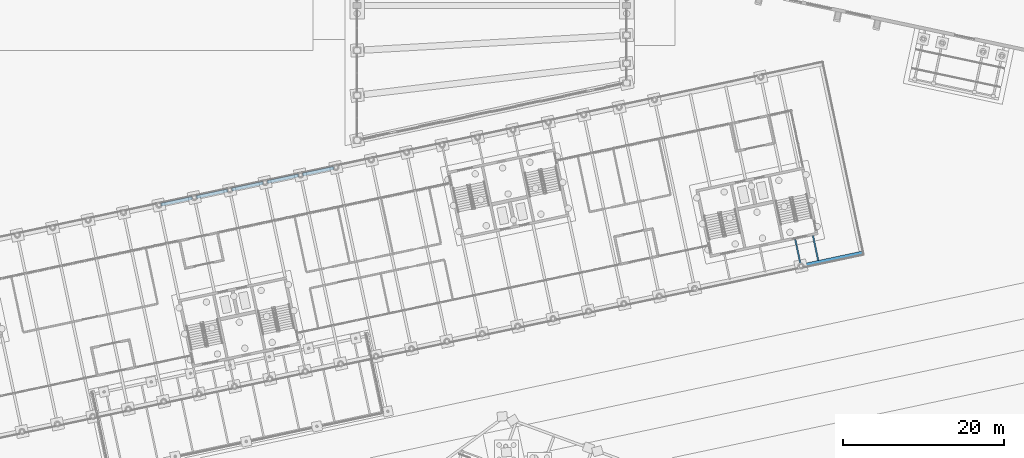
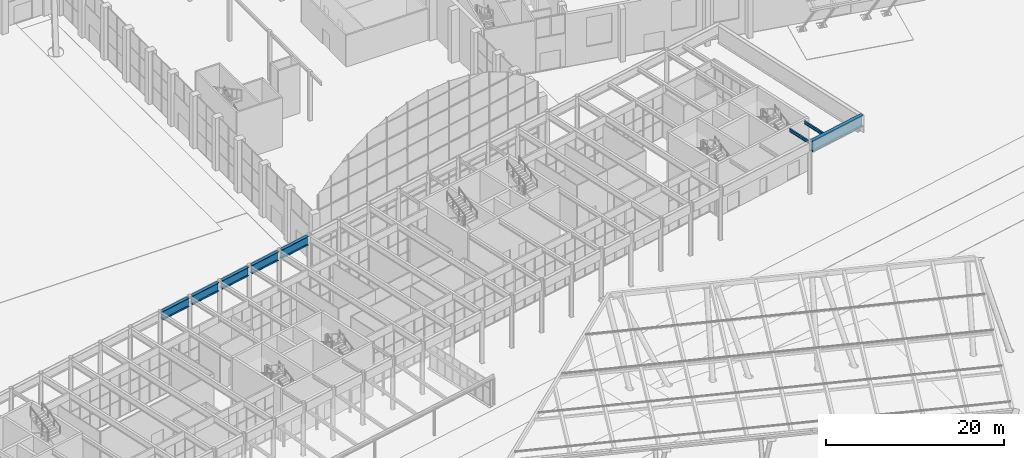
# One storey, part 99 of 239: 8 beams.
"""IFC4 building model written with IfcOpenShell, lengths in metres."""

from ifc_helpers import new_model, si_unit, direction, frame, origin, origin_2d, place, context, subcontext, project, spatial, i_section, extrude, material, material_profile, profile_set, type_object, element, save


model = new_model("IFC4")

# Units and contexts
model_context = context("Model", 3, precision=1e-05, world=origin(), true_north=direction((0.0, 1.0)))
body_context = subcontext(model_context, "Body", "Model", "MODEL_VIEW")
ifc_project = project(units=[si_unit("LENGTHUNIT", "METRE"), si_unit("AREAUNIT", "SQUARE_METRE"), si_unit("VOLUMEUNIT", "CUBIC_METRE"), si_unit("PLANEANGLEUNIT", "RADIAN"), si_unit("MASSUNIT", "GRAM", prefix="KILO")], contexts=[model_context])

# Site, building, storey
site_placement = place(None, origin())
site = spatial("IfcSite", under=ifc_project, at=site_placement, CompositionType="ELEMENT")
building_placement = place(site_placement, origin())
building = spatial("IfcBuilding", under=site, at=building_placement, Name="Okhra Congress Centre", CompositionType="ELEMENT")
storey_placement = place(building_placement, origin())
storey = spatial("IfcBuildingStorey", under=building, at=storey_placement, Name="L00", CompositionType="ELEMENT", Elevation=0.0)

# Beams
ifc_material = material(Name="Steel S355J2", Category="steel")
ifc_material_profile_1 = material_profile(ifc_material, i_section(OverallWidth=0.449951171875, OverallDepth=1.5, WebThickness=0.030029296875, FlangeThickness=0.06005859375, at=origin_2d()), Name="Plate girder 1500x450")
ifc_profile_set_1 = profile_set([ifc_material_profile_1], Name="Steel S355J2")
beam_type_1 = type_object("IfcBeamType", Name="Cantilever plate girder 1500x450", PredefinedType="BEAM", material=ifc_profile_set_1)
beam_1_placement = place(storey_placement, frame((210.916015625, 58.672607421875, 6.300048828125), z_axis=(0.978150572819, 0.207897707763, 0.0), x_axis=(-0.207897707763, 0.978150572819, 0.0)))
element("IfcBeam", 1, at=beam_1_placement, inside=storey, type_object=beam_type_1, Name="Cantilever girder S30", PredefinedType="BEAM", context=body_context, shape_type="SweptSolid", body=[
    extrude(i_section(OverallWidth=0.449951171875, OverallDepth=1.5, WebThickness=0.030029296875, FlangeThickness=0.06005859375, at=origin_2d()), origin(), (0.0, 0.0, 1.0), 7.64599609375),
])
ifc_material_profile_2 = material_profile(ifc_material, i_section(OverallWidth=0.179931640625, OverallDepth=0.39990234375, WebThickness=0.008544921875, FlangeThickness=0.013427734375, FilletRadius=0.02099609375, at=origin_2d()), Name="IPE 400")
ifc_profile_set_2 = profile_set([ifc_material_profile_2], Name="Steel S355J2")
beam_type_2 = type_object("IfcBeamType", Name="Floor beam stub IPE 400", PredefinedType="BEAM", material=ifc_profile_set_2)
beam_2_placement = place(storey_placement, frame((210.6259765625, 58.8154296875, 6.85009765625), z_axis=(-0.207932330883, 0.978143213325, 0.0), x_axis=(-0.978143213325, -0.207932330883, 0.0)))
element("IfcBeam", 2, at=beam_2_placement, inside=storey, type_object=beam_type_2, Name="Floor beam 34.1", PredefinedType="BEAM", context=body_context, shape_type="SweptSolid", body=[
    extrude(i_section(OverallWidth=0.179931640625, OverallDepth=0.39990234375, WebThickness=0.008544921875, FlangeThickness=0.013427734375, FilletRadius=0.02099609375, at=origin_2d()), origin(), (0.0, 0.0, 1.0), 3.1748046875),
])
beam_3_placement = place(storey_placement, frame((212.821533203125, 59.3076171875, 6.85009765625), z_axis=(-0.207877295669, 0.978154911016, 0.0), x_axis=(-0.978154911016, -0.207877295669, 0.0)))
element("IfcBeam", 3, at=beam_3_placement, inside=storey, type_object=beam_type_2, Name="Floor beam 35.1", PredefinedType="BEAM", context=body_context, shape_type="SweptSolid", body=[
    extrude(i_section(OverallWidth=0.179931640625, OverallDepth=0.39990234375, WebThickness=0.008544921875, FlangeThickness=0.013427734375, FilletRadius=0.02099609375, at=origin_2d()), origin(), (0.0, 0.0, 1.0), 3.14990234375),
])
ifc_material_profile_3 = material_profile(ifc_material, i_section(OverallWidth=0.39990234375, OverallDepth=1.199951171875, WebThickness=0.02490234375, FlangeThickness=0.050048828125, at=origin_2d()), Name="Plate girder 1200x400")
ifc_profile_set_3 = profile_set([ifc_material_profile_3], Name="Steel S355J2")
beam_type_3 = type_object("IfcBeamType", Name="Perimeter plate girder 1200x400", PredefinedType="BEAM", material=ifc_profile_set_3)
for number, where, z_axis, x_axis, name in (
    (4, (131.097900390625, 66.242919921875, 6.449951171875), (0.978155431297, 0.207874847504, 0.0), (-0.207874847504, 0.978155431297, 0.0), "Perimeter girder N15"),
    (5, (135.49951171875, 67.178466796875, 6.449951171875), (0.978155431297, 0.207874847504, 0.0), (-0.207874847504, 0.978155431297, 0.0), "Perimeter girder N16"),
    (6, (139.901123046875, 68.114013671875, 6.449951171875), (0.978142994281, 0.207933361295, 0.0), (-0.207933361295, 0.978142994281, 0.0), "Perimeter girder N17"),
    (7, (144.302734375, 69.049560546875, 6.449951171875), (0.978142994281, 0.207933361295, 0.0), (-0.207933361295, 0.978142994281, 0.0), "Perimeter girder N18"),
    (8, (148.70458984375, 69.9853515625, 6.449951171875), (0.978155431297, 0.207874847504, 0.0), (-0.207874847504, 0.978155431297, 0.0), "Perimeter girder N19"),
):
    element("IfcBeam", number, at=place(storey_placement, frame(where, z_axis=z_axis, x_axis=x_axis)), inside=storey, type_object=beam_type_3, Name=name, PredefinedType="BEAM", context=body_context, shape_type="SweptSolid", body=[
        extrude(i_section(OverallWidth=0.39990234375, OverallDepth=1.199951171875, WebThickness=0.02490234375, FlangeThickness=0.050048828125, at=origin_2d()), origin(), (0.0, 0.0, 1.0), 3.991943359375),
    ])

save(model, "model.ifc")
